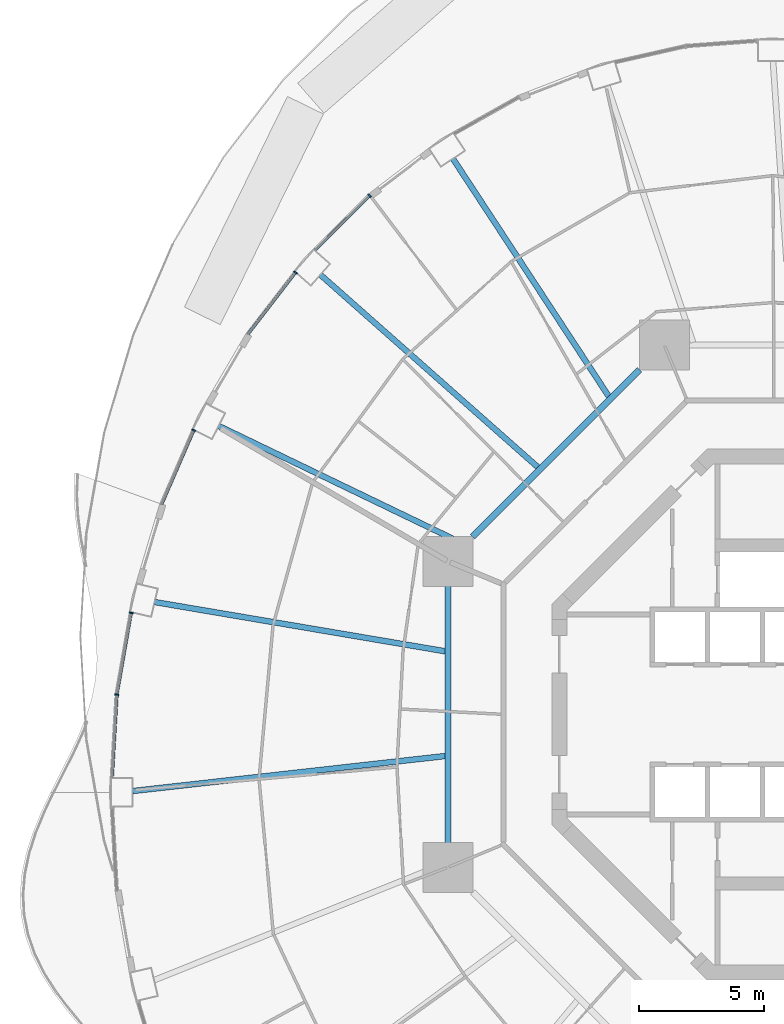
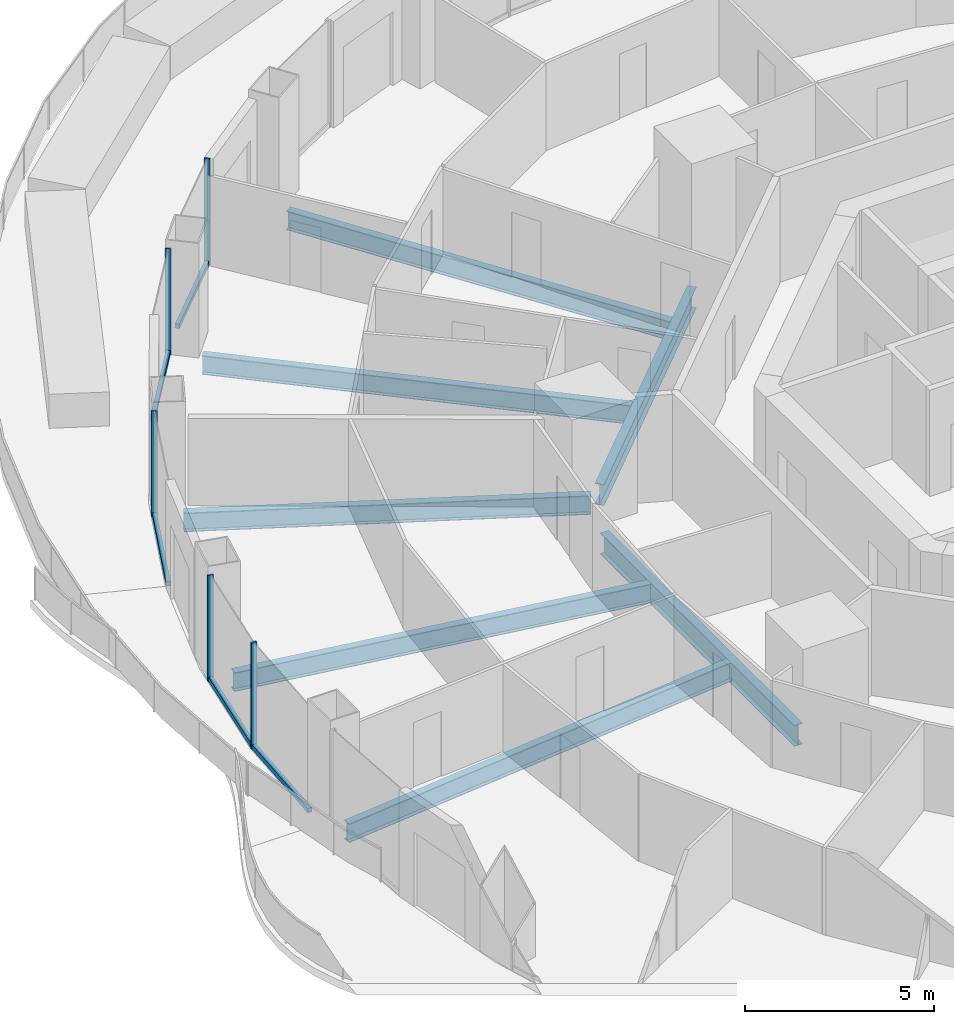
# One storey, part 6 of 20: 10 members, 7 beams, 5 elements without a shape of their own.
"""IFC4 building model written with IfcOpenShell, lengths in metres."""

from ifc_helpers import new_model, si_unit, direction, frame, origin, origin_2d, place, context, subcontext, project, spatial, rectangle, i_section, extrude, material, layer, layer_set, material_profile, profile_set, type_object, element, aggregate, save


model = new_model("IFC4")

# Units and contexts
model_context = context("Model", 3, precision=1e-05, world=origin(), true_north=direction((0.0, 1.0)))
body_context = subcontext(model_context, "Body", "Model", "MODEL_VIEW")
ifc_project = project(units=[si_unit("LENGTHUNIT", "METRE"), si_unit("AREAUNIT", "SQUARE_METRE"), si_unit("VOLUMEUNIT", "CUBIC_METRE"), si_unit("PLANEANGLEUNIT", "RADIAN"), si_unit("MASSUNIT", "GRAM", prefix="KILO")], contexts=[model_context])

# Site, building, storey
site_placement = place(None, origin())
site = spatial("IfcSite", under=ifc_project, at=site_placement, CompositionType="ELEMENT")
building_placement = place(site_placement, origin())
building = spatial("IfcBuilding", under=site, at=building_placement, Name="Nagisa Residences", CompositionType="ELEMENT")
storey_placement = place(building_placement, frame((0.0, 0.0, 119.60009765625)))
storey = spatial("IfcBuildingStorey", under=building, at=storey_placement, Name="L29", CompositionType="ELEMENT", Elevation=119.60009765625)

# Curtain wall, member
ifc_material_1 = material(Name="Concrete-coloured aluminium curtain wall system", Category="concrete")
ifc_layer = layer(ifc_material_1, 0.159912109375)
ifc_layer_set = layer_set([ifc_layer], Name="CW1 CURTAIN WALL")
curtain_wall_type = type_object("IfcCurtainWallType", Name="CW1 CURTAIN WALL", PredefinedType="NOTDEFINED", material=ifc_layer_set)
curtain_wall_1_placement = place(storey_placement, origin())
curtain_wall_1 = element("IfcCurtainWall", 1, at=curtain_wall_1_placement, inside=storey, type_object=curtain_wall_type, Name="cw:CW1:L29:17", PredefinedType="NOTDEFINED")
ifc_material_2 = material(Name="Concrete-coloured aluminium", Category="concrete")
ifc_material_profile_1 = material_profile(ifc_material_2, rectangle(XDim=0.159912109375, YDim=0.06005859375, at=origin_2d()), Name="CW1 MULLION 160x60")
ifc_profile_set_1 = profile_set([ifc_material_profile_1], Name="Concrete-coloured aluminium")
member_type_1 = type_object("IfcMemberType", Name="CW1 MULLION 160x60", PredefinedType="MULLION", material=ifc_profile_set_1)
member_1_placement = place(storey_placement, frame((-17.918212890625, 20.759765625, 0.0), z_axis=(0.0, 0.0, 1.0), x_axis=(0.706376885714, -0.707835924016, 0.0)))
member_1 = element("IfcMember", 2, at=member_1_placement, type_object=member_type_1, Name="CW1 mullion", PredefinedType="MULLION", context=body_context, shape_type="SweptSolid", body=[
    extrude(rectangle(XDim=0.159912109375, YDim=0.06005859375, at=origin_2d()), origin(), (0.0, 0.0, 1.0), 3.43994140625),
])

curtain_wall_2_placement = place(storey_placement, origin())
curtain_wall_2 = element("IfcCurtainWall", 3, at=curtain_wall_2_placement, inside=storey, type_object=curtain_wall_type, Name="cw:CW1:L29:18", PredefinedType="NOTDEFINED")
member_2_placement = place(storey_placement, frame((-20.88427734375, 17.685546875, 0.0), z_axis=(0.0, 0.0, 1.0), x_axis=(0.792070340816, -0.610429828235, 0.0)))
member_2 = element("IfcMember", 4, at=member_2_placement, type_object=member_type_1, Name="CW1 mullion", PredefinedType="MULLION", context=body_context, shape_type="SweptSolid", body=[
    extrude(rectangle(XDim=0.159912109375, YDim=0.06005859375, at=origin_2d()), origin(), (0.0, 0.0, 1.0), 3.43994140625),
])

curtain_wall_3_placement = place(storey_placement, origin())
curtain_wall_3 = element("IfcCurtainWall", 5, at=curtain_wall_3_placement, inside=storey, type_object=curtain_wall_type, Name="cw:CW1:L29:20", PredefinedType="NOTDEFINED")
member_3_placement = place(storey_placement, frame((-24.95703125, 11.369873046875, 0.0), z_axis=(0.0, 0.0, 1.0), x_axis=(0.917543276295, -0.397635934147, 0.0)))
member_3 = element("IfcMember", 6, at=member_3_placement, type_object=member_type_1, Name="CW1 mullion", PredefinedType="MULLION", context=body_context, shape_type="SweptSolid", body=[
    extrude(rectangle(XDim=0.159912109375, YDim=0.06005859375, at=origin_2d()), origin(), (0.0, 0.0, 1.0), 3.43994140625),
])

curtain_wall_4_placement = place(storey_placement, origin())
curtain_wall_4 = element("IfcCurtainWall", 7, at=curtain_wall_4_placement, inside=storey, type_object=curtain_wall_type, Name="cw:CW1:L29:22", PredefinedType="NOTDEFINED")
member_4_placement = place(storey_placement, frame((-27.46044921875, 4.06298828125, 0.0), z_axis=(0.0, 0.0, 1.0), x_axis=(0.985063604377, -0.172190868898, 0.0)))
member_4 = element("IfcMember", 8, at=member_4_placement, type_object=member_type_1, Name="CW1 mullion", PredefinedType="MULLION", context=body_context, shape_type="SweptSolid", body=[
    extrude(rectangle(XDim=0.159912109375, YDim=0.06005859375, at=origin_2d()), origin(), (0.0, 0.0, 1.0), 3.43994140625),
])

curtain_wall_5_placement = place(storey_placement, origin())
curtain_wall_5 = element("IfcCurtainWall", 9, at=curtain_wall_5_placement, inside=storey, type_object=curtain_wall_type, Name="cw:CW1:L29:23", PredefinedType="NOTDEFINED")
member_5_placement = place(storey_placement, frame((-28.02978515625, 0.7890625, 0.0), z_axis=(0.0, 0.0, 1.0), x_axis=(0.998345305184, -0.057503492216, 0.0)))
member_5 = element("IfcMember", 10, at=member_5_placement, type_object=member_type_1, Name="CW1 mullion", PredefinedType="MULLION", context=body_context, shape_type="SweptSolid", body=[
    extrude(rectangle(XDim=0.159912109375, YDim=0.06005859375, at=origin_2d()), origin(), (0.0, 0.0, 1.0), 3.43994140625),
])

# Member
ifc_material_3 = material(Name="Concrete-coloured aluminium", Category="concrete")
ifc_material_profile_2 = material_profile(ifc_material_3, rectangle(XDim=0.1201171875, YDim=0.14990234375, at=origin_2d()), Name="CW1 TRANSOM 120x150")
ifc_profile_set_2 = profile_set([ifc_material_profile_2], Name="Concrete-coloured aluminium")
member_type_2 = type_object("IfcMemberType", Name="CW1 TRANSOM 120x150", PredefinedType="USERDEFINED", material=ifc_profile_set_2)
member_6_placement = place(storey_placement, frame((-17.89697265625, 20.781005859375, 0.074951171875), z_axis=(-0.707818274975, -0.706394570768, 0.0), x_axis=(0.706394570768, -0.707818274975, 0.0)))
member_6 = element("IfcMember", 11, at=member_6_placement, type_object=member_type_2, Name="CW1 transom", ObjectType="TRANSOM", PredefinedType="USERDEFINED", context=body_context, shape_type="SweptSolid", body=[
    extrude(rectangle(XDim=0.1201171875, YDim=0.14990234375, at=origin_2d()), origin(), (0.0, 0.0, 1.0), 3.086669921875),
])

aggregate(curtain_wall_1, [member_1, member_6])

member_7_placement = place(storey_placement, frame((-20.865966796875, 17.709228515625, 0.074951171875), z_axis=(-0.610467332273, -0.792041435928, 0.0), x_axis=(0.792041435928, -0.610467332273, 0.0)))
member_7 = element("IfcMember", 12, at=member_7_placement, type_object=member_type_2, Name="CW1 transom", ObjectType="TRANSOM", PredefinedType="USERDEFINED", context=body_context, shape_type="SweptSolid", body=[
    extrude(rectangle(XDim=0.1201171875, YDim=0.14990234375, at=origin_2d()), origin(), (0.0, 0.0, 1.0), 3.14892578125),
])

aggregate(curtain_wall_2, [member_2, member_7])

member_8_placement = place(storey_placement, frame((-24.945068359375, 11.3974609375, 0.074951171875), z_axis=(-0.397638954585, -0.917541967321, 0.0), x_axis=(0.917541967321, -0.397638954585, 0.0)))
member_8 = element("IfcMember", 13, at=member_8_placement, type_object=member_type_2, Name="CW1 transom", ObjectType="TRANSOM", PredefinedType="USERDEFINED", context=body_context, shape_type="SweptSolid", body=[
    extrude(rectangle(XDim=0.1201171875, YDim=0.14990234375, at=origin_2d()), origin(), (0.0, 0.0, 1.0), 3.2607421875),
])

aggregate(curtain_wall_3, [member_3, member_8])

member_9_placement = place(storey_placement, frame((-27.455322265625, 4.092529296875, 0.074951171875), z_axis=(-0.172234609255, -0.985055957484, 0.0), x_axis=(0.985055957484, -0.172234609255, 0.0)))
member_9 = element("IfcMember", 14, at=member_9_placement, type_object=member_type_2, Name="CW1 transom", ObjectType="TRANSOM", PredefinedType="USERDEFINED", context=body_context, shape_type="SweptSolid", body=[
    extrude(rectangle(XDim=0.1201171875, YDim=0.14990234375, at=origin_2d()), origin(), (0.0, 0.0, 1.0), 3.33251953125),
])

aggregate(curtain_wall_4, [member_4, member_9])

member_10_placement = place(storey_placement, frame((-28.028076171875, 0.81884765625, 0.074951171875), z_axis=(-0.057542018726, -0.998343085357, 0.0), x_axis=(0.998343085357, -0.057542018726, 0.0)))
member_10 = element("IfcMember", 15, at=member_10_placement, type_object=member_type_2, Name="CW1 transom", ObjectType="TRANSOM", PredefinedType="USERDEFINED", context=body_context, shape_type="SweptSolid", body=[
    extrude(rectangle(XDim=0.1201171875, YDim=0.14990234375, at=origin_2d()), origin(), (0.0, 0.0, 1.0), 3.34765625),
])

aggregate(curtain_wall_5, [member_5, member_10])

# Beams
ifc_material_4 = material(Name="Steel ASTM A572 Gr 50", Category="steel")
ifc_material_profile_3 = material_profile(ifc_material_4, i_section(OverallWidth=0.25390625, OverallDepth=0.68408203125, WebThickness=0.012451171875, FlangeThickness=0.018798828125, at=origin_2d()), Name="W690x140")
ifc_profile_set_3 = profile_set([ifc_material_profile_3], Name="Steel ASTM A572 Gr 50")
beam_type_1 = type_object("IfcBeamType", Name="Inner ring beam W690x140", PredefinedType="BEAM", material=ifc_profile_set_3)
beam_1_placement = place(storey_placement, frame((-7.10888671875, 13.796142578125, -0.60205078125), z_axis=(-0.707106781187, -0.707106781187, 0.0), x_axis=(0.707106781187, -0.707106781187, 0.0)))
element("IfcBeam", 16, at=beam_1_placement, inside=storey, type_object=beam_type_1, Name="beam:L29:ib3", PredefinedType="BEAM", context=body_context, shape_type="SweptSolid", body=[
    extrude(i_section(OverallWidth=0.25390625, OverallDepth=0.68408203125, WebThickness=0.012451171875, FlangeThickness=0.018798828125, at=origin_2d()), origin(), (0.0, 0.0, 1.0), 9.457275390625),
])
beam_2_placement = place(storey_placement, frame((-14.781982421875, 5.142822265625, -0.60205078125), z_axis=(0.0, -1.0, 0.0), x_axis=(1.0, 0.0, 0.0)))
element("IfcBeam", 17, at=beam_2_placement, inside=storey, type_object=beam_type_1, Name="beam:L29:ib4", PredefinedType="BEAM", context=body_context, shape_type="SweptSolid", body=[
    extrude(i_section(OverallWidth=0.25390625, OverallDepth=0.68408203125, WebThickness=0.012451171875, FlangeThickness=0.018798828125, at=origin_2d()), origin(), (0.0, 0.0, 1.0), 10.28564453125),
])
ifc_material_5 = material(Name="Steel ASTM A572 Gr 50", Category="steel")
ifc_material_profile_4 = material_profile(ifc_material_5, i_section(OverallWidth=0.22900390625, OverallDepth=0.612060546875, WebThickness=0.011962890625, FlangeThickness=0.01953125, at=origin_2d()), Name="W610x125")
ifc_profile_set_4 = profile_set([ifc_material_profile_4], Name="Steel ASTM A572 Gr 50")
beam_type_2 = type_object("IfcBeamType", Name="Radial beam W610x125", PredefinedType="BEAM", material=ifc_profile_set_4)
beam_3_placement = place(storey_placement, frame((-14.581787109375, 22.2392578125, -0.566162109375), z_axis=(0.548325250323, -0.836265161212, 0.0), x_axis=(0.836265161212, 0.548325250323, 0.0)))
element("IfcBeam", 18, at=beam_3_placement, inside=storey, type_object=beam_type_2, Name="beam:L29:rb09", PredefinedType="BEAM", context=body_context, shape_type="SweptSolid", body=[
    extrude(i_section(OverallWidth=0.22900390625, OverallDepth=0.612060546875, WebThickness=0.011962890625, FlangeThickness=0.01953125, at=origin_2d()), origin(), (0.0, 0.0, 1.0), 11.385498046875),
])
beam_4_placement = place(storey_placement, frame((-19.887451171875, 17.594970703125, -0.566162109375), z_axis=(0.7489549138, -0.662620960349, 0.0), x_axis=(0.662620960349, 0.7489549138, 0.0)))
element("IfcBeam", 19, at=beam_4_placement, inside=storey, type_object=beam_type_2, Name="beam:L29:rb10", PredefinedType="BEAM", context=body_context, shape_type="SweptSolid", body=[
    extrude(i_section(OverallWidth=0.22900390625, OverallDepth=0.612060546875, WebThickness=0.011962890625, FlangeThickness=0.01953125, at=origin_2d()), origin(), (0.0, 0.0, 1.0), 11.63671875),
])
beam_5_placement = place(storey_placement, frame((-23.95947265625, 11.543212890625, -0.566162109375), z_axis=(0.900896469051, -0.434034044808, 0.0), x_axis=(0.434034044808, 0.900896469051, 0.0)))
element("IfcBeam", 20, at=beam_5_placement, inside=storey, type_object=beam_type_2, Name="beam:L29:rb11", PredefinedType="BEAM", context=body_context, shape_type="SweptSolid", body=[
    extrude(i_section(OverallWidth=0.22900390625, OverallDepth=0.612060546875, WebThickness=0.011962890625, FlangeThickness=0.01953125, at=origin_2d()), origin(), (0.0, 0.0, 1.0), 10.820556640625),
])
beam_6_placement = place(storey_placement, frame((-26.52294921875, 4.495849609375, -0.566162109375), z_axis=(0.985936650852, -0.167119479737, 0.0), x_axis=(0.167119479737, 0.985936650852, 0.0)))
element("IfcBeam", 21, at=beam_6_placement, inside=storey, type_object=beam_type_2, Name="beam:L29:rb12", PredefinedType="BEAM", context=body_context, shape_type="SweptSolid", body=[
    extrude(i_section(OverallWidth=0.22900390625, OverallDepth=0.612060546875, WebThickness=0.011962890625, FlangeThickness=0.01953125, at=origin_2d()), origin(), (0.0, 0.0, 1.0), 11.799560546875),
])
beam_7_placement = place(storey_placement, frame((-27.40478515625, -3.069580078125, -0.566162109375), z_axis=(0.993785470482, 0.111312347291, 0.0), x_axis=(-0.111312347291, 0.993785470482, 0.0)))
element("IfcBeam", 22, at=beam_7_placement, inside=storey, type_object=beam_type_2, Name="beam:L29:rb13", PredefinedType="BEAM", context=body_context, shape_type="SweptSolid", body=[
    extrude(i_section(OverallWidth=0.22900390625, OverallDepth=0.612060546875, WebThickness=0.011962890625, FlangeThickness=0.01953125, at=origin_2d()), origin(), (0.0, 0.0, 1.0), 12.593994140625),
])

save(model, "model.ifc")
